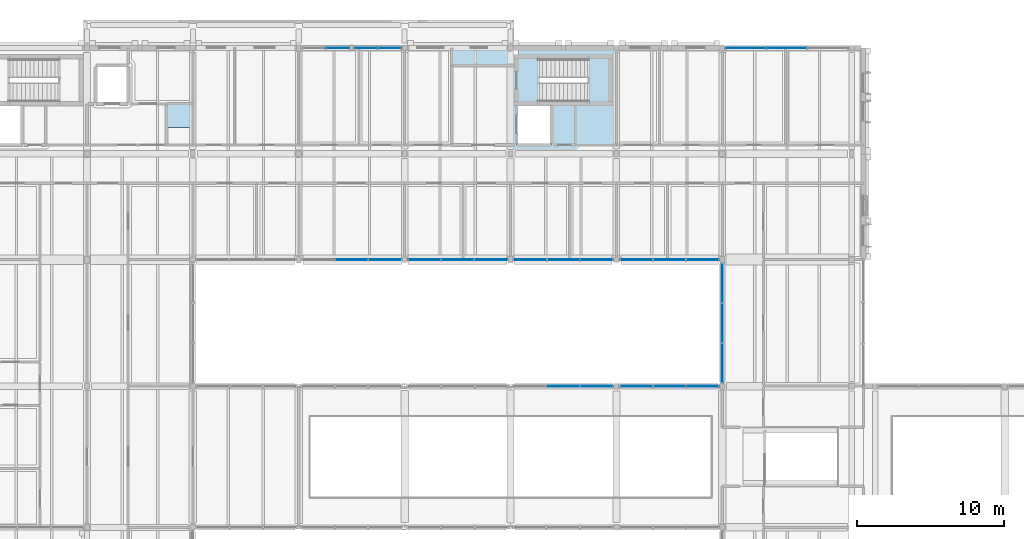
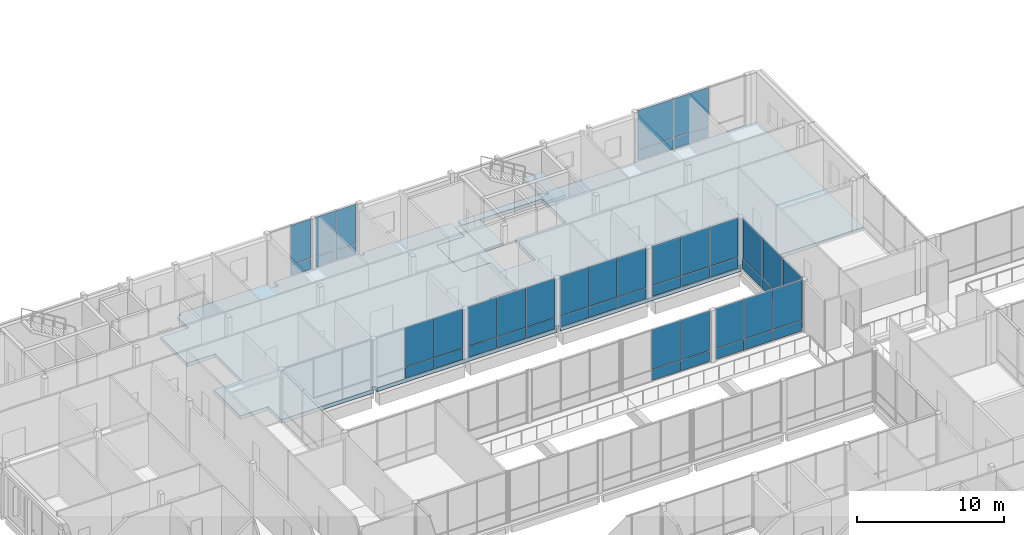
# One storey, part 98 of 146: 48 plates, 4 slabs, 11 elements without a shape of their own.
"""IFC4 building model written with IfcOpenShell, lengths in metres."""

from ifc_helpers import new_model, si_unit, direction, frame, origin, origin_2d, place, context, subcontext, project, spatial, polyline, rectangle, outline, extrude, material, layer, layer_set, type_object, element, aggregate, save


model = new_model("IFC4")

# Units and contexts
model_context = context("Model", 3, precision=1e-05, world=origin(), true_north=direction((0.0, 1.0)))
body_context = subcontext(model_context, "Body", "Model", "MODEL_VIEW")
ifc_project = project(units=[si_unit("LENGTHUNIT", "METRE"), si_unit("AREAUNIT", "SQUARE_METRE"), si_unit("VOLUMEUNIT", "CUBIC_METRE"), si_unit("PLANEANGLEUNIT", "RADIAN"), si_unit("MASSUNIT", "GRAM", prefix="KILO")], contexts=[model_context])

# Site, building, storey
site_placement = place(None, origin())
site = spatial("IfcSite", under=ifc_project, at=site_placement, CompositionType="ELEMENT")
building_placement = place(site_placement, origin())
building = spatial("IfcBuilding", under=site, at=building_placement, Name="Hawrajan Terrace Health Centre", CompositionType="ELEMENT")
storey_placement = place(building_placement, frame((0.0, 0.0, 4.5)))
storey = spatial("IfcBuildingStorey", under=building, at=storey_placement, Name="L01", CompositionType="ELEMENT", Elevation=4.5)

# Curtain wall, plates
ifc_material_1 = material(Name="Anodized bronze aluminium and low-E solar glazing", Category="aluminium")
curtain_wall_type_1 = type_object("IfcCurtainWallType", Name="CW_Bridge_SeriesJ1", PredefinedType="USERDEFINED", material=ifc_material_1)
curtain_wall_1_placement = place(storey_placement, origin())
curtain_wall_1 = element("IfcCurtainWall", 1, at=curtain_wall_1_placement, inside=storey, type_object=curtain_wall_type_1, Name="Curtain wall CW-L01-068", ObjectType="UNITISED CURTAIN WALL", PredefinedType="USERDEFINED")
ifc_material_2 = material(Name="Diffused north-light insulated glazing", Category="glass")
ifc_layer_1 = layer(ifc_material_2, 0.031982421875)
ifc_layer_set_1 = layer_set([ifc_layer_1], Name="Diffused north-light insulated glazing")
plate_type_1 = type_object("IfcPlateType", Name="ClerestoryGlassPanel_32", PredefinedType="CURTAIN_PANEL", material=ifc_layer_set_1)
plate_1_placement = place(storey_placement, frame((37.963623046875, 59.800048828125, 0.9814453125), z_axis=(0.0, 0.0, 1.0), x_axis=(1.0, 0.0, 0.0)))
plate_1 = element("IfcPlate", 2, at=plate_1_placement, type_object=plate_type_1, Name="Curtain panel CW-L01-068-P1-2", PredefinedType="CURTAIN_PANEL", context=body_context, shape_type="SweptSolid", body=[
    extrude(rectangle(XDim=1.549560546875, YDim=0.031982421875, at=origin_2d()), origin(), (0.0, 0.0, 1.0), 3.20947265625),
])
plate_2_placement = place(storey_placement, frame((39.576416015625, 59.800048828125, 0.9814453125), z_axis=(0.0, 0.0, 1.0), x_axis=(1.0, 0.0, 0.0)))
plate_2 = element("IfcPlate", 3, at=plate_2_placement, type_object=plate_type_1, Name="Curtain panel CW-L01-068-P2-2", PredefinedType="CURTAIN_PANEL", context=body_context, shape_type="SweptSolid", body=[
    extrude(rectangle(XDim=1.549560546875, YDim=0.031982421875, at=origin_2d()), origin(), (0.0, 0.0, 1.0), 3.20947265625),
])

curtain_wall_type_2 = type_object("IfcCurtainWallType", Name="CW_CourtNS_SeriesC2", PredefinedType="USERDEFINED", material=ifc_material_1)
curtain_wall_2_placement = place(storey_placement, origin())
curtain_wall_2 = element("IfcCurtainWall", 4, at=curtain_wall_2_placement, inside=storey, type_object=curtain_wall_type_2, Name="Curtain wall CW-L01-080", ObjectType="UNITISED CURTAIN WALL", PredefinedType="USERDEFINED")
plate_3_placement = place(storey_placement, frame((56.348388671875, 45.39990234375, 0.9814453125), z_axis=(0.0, 0.0, 1.0), x_axis=(1.0, 0.0, 0.0)))
plate_3 = element("IfcPlate", 5, at=plate_3_placement, type_object=plate_type_1, Name="Curtain panel CW-L01-080-P1-2", PredefinedType="CURTAIN_PANEL", context=body_context, shape_type="SweptSolid", body=[
    extrude(rectangle(XDim=2.19873046875, YDim=0.031982421875, at=origin_2d()), origin(), (0.0, 0.0, 1.0), 3.20947265625),
])
plate_4_placement = place(storey_placement, frame((58.610107421875, 45.39990234375, 0.9814453125), z_axis=(0.0, 0.0, 1.0), x_axis=(1.0, 0.0, 0.0)))
plate_4 = element("IfcPlate", 6, at=plate_4_placement, type_object=plate_type_1, Name="Curtain panel CW-L01-080-P2-2", PredefinedType="CURTAIN_PANEL", context=body_context, shape_type="SweptSolid", body=[
    extrude(rectangle(XDim=2.19873046875, YDim=0.031982421875, at=origin_2d()), origin(), (0.0, 0.0, 1.0), 3.20947265625),
])
plate_5_placement = place(storey_placement, frame((60.87158203125, 45.39990234375, 0.9814453125), z_axis=(0.0, 0.0, 1.0), x_axis=(1.0, 0.0, 0.0)))
plate_5 = element("IfcPlate", 7, at=plate_5_placement, type_object=plate_type_1, Name="Curtain panel CW-L01-080-P3-2", PredefinedType="CURTAIN_PANEL", context=body_context, shape_type="SweptSolid", body=[
    extrude(rectangle(XDim=2.19873046875, YDim=0.031982421875, at=origin_2d()), origin(), (0.0, 0.0, 1.0), 3.20947265625),
])

curtain_wall_type_3 = type_object("IfcCurtainWallType", Name="CW_Garden_SeriesF1", PredefinedType="USERDEFINED", material=ifc_material_1)
curtain_wall_3_placement = place(storey_placement, origin())
curtain_wall_3 = element("IfcCurtainWall", 8, at=curtain_wall_3_placement, inside=storey, type_object=curtain_wall_type_3, Name="Curtain wall CW-L01-086", ObjectType="UNITISED CURTAIN WALL", PredefinedType="USERDEFINED")
plate_6_placement = place(storey_placement, frame((63.794921875, 59.800048828125, 0.9814453125), z_axis=(0.0, 0.0, 1.0), x_axis=(1.0, 0.0, 0.0)))
plate_6 = element("IfcPlate", 9, at=plate_6_placement, type_object=plate_type_1, Name="Curtain panel CW-L01-086-P1-2", PredefinedType="CURTAIN_PANEL", context=body_context, shape_type="SweptSolid", body=[
    extrude(rectangle(XDim=2.73193359375, YDim=0.031982421875, at=origin_2d()), origin(), (0.0, 0.0, 1.0), 3.20947265625),
])
plate_7_placement = place(storey_placement, frame((66.590087890625, 59.800048828125, 0.9814453125), z_axis=(0.0, 0.0, 1.0), x_axis=(1.0, 0.0, 0.0)))
plate_7 = element("IfcPlate", 10, at=plate_7_placement, type_object=plate_type_1, Name="Curtain panel CW-L01-086-P2-2", PredefinedType="CURTAIN_PANEL", context=body_context, shape_type="SweptSolid", body=[
    extrude(rectangle(XDim=2.73193359375, YDim=0.031982421875, at=origin_2d()), origin(), (0.0, 0.0, 1.0), 3.20947265625),
])

# Slabs
ifc_material_3 = material(Name="Concrete C40/50", Category="concrete")
ifc_layer_2 = layer(ifc_material_3, 0.300048828125)
ifc_layer_set_2 = layer_set([ifc_layer_2], Name="Concrete C40/50")
slab_type_1 = type_object("IfcSlabType", Name="PodiumSlab_RC300", PredefinedType="FLOOR", material=ifc_layer_set_2)
slab_1_placement = place(storey_placement, frame((0.0, 0.0, -0.300048828125)))
element("IfcSlab", 11, at=slab_1_placement, inside=storey, type_object=slab_type_1, Name="Structural slab SL-L01-W-V2-Z1-1", PredefinedType="FLOOR", context=body_context, shape_type="SweptSolid", body=[
    extrude(outline(polyline([(26.47998046875, 59.52001953125), (26.47998046875, 59.800048828125), (33.39990234375, 59.800048828125), (33.39990234375, 59.25), (33.949951171875, 59.25), (33.949951171875, 59.800048828125), (40.60009765625, 59.800048828125), (40.60009765625, 59.52001953125), (40.8798828125, 59.52001953125), (40.8798828125, 59.800048828125), (47.800048828125, 59.800048828125), (47.800048828125, 59.25), (47.800048828125, 58.0), (45.60009765625, 58.0), (45.60009765625, 54.39990234375), (47.800048828125, 54.39990234375), (47.800048828125, 52.60009765625), (47.800048828125, 50.800048828125), (45.60009765625, 50.800048828125), (45.60009765625, 47.199951171875), (47.800048828125, 47.199951171875), (47.800048828125, 45.679931640625), (47.800048828125, 45.39990234375), (40.60009765625, 45.39990234375), (33.679931640625, 45.39990234375), (33.679931640625, 45.679931640625), (33.39990234375, 45.679931640625), (33.39990234375, 45.39990234375), (26.201904296875, 45.39990234375), (26.201904296875, 45.402099609375), (26.201904296875, 47.201904296875), (24.001953125, 47.201904296875), (24.001953125, 50.798095703125), (26.201904296875, 50.798095703125), (26.201904296875, 54.402099609375), (24.001953125, 54.402099609375), (24.001953125, 57.998046875), (26.201904296875, 57.998046875), (26.201904296875, 59.52001953125), (26.47998046875, 59.52001953125)])), origin(), (0.0, 0.0, 1.0), 0.300048828125),
])
slab_2_placement = place(storey_placement, frame((0.0, 0.0, -0.300048828125)))
element("IfcSlab", 12, at=slab_2_placement, inside=storey, type_object=slab_type_1, Name="Structural slab SL-L01-W-V2-Z2-1", PredefinedType="FLOOR", context=body_context, shape_type="SweptSolid", body=[
    extrude(outline(polyline([(48.35009765625, 59.25), (48.35009765625, 59.800048828125), (55.0, 59.800048828125), (55.0, 59.52001953125), (55.280029296875, 59.52001953125), (55.280029296875, 59.800048828125), (62.199951171875, 59.800048828125), (71.794921875, 59.800048828125), (71.794921875, 52.60009765625), (71.794921875, 45.402099609375), (62.47998046875, 45.402099609375), (62.47998046875, 45.679931640625), (62.199951171875, 45.679931640625), (62.199951171875, 45.402099609375), (62.197998046875, 45.402099609375), (62.197998046875, 45.39990234375), (55.0, 45.39990234375), (48.080078125, 45.39990234375), (48.080078125, 45.679931640625), (47.802001953125, 45.679931640625), (47.802001953125, 47.201904296875), (45.60205078125, 47.201904296875), (45.60205078125, 50.798095703125), (47.802001953125, 50.798095703125), (47.802001953125, 54.402099609375), (45.60205078125, 54.402099609375), (45.60205078125, 57.998046875), (47.802001953125, 57.998046875), (47.802001953125, 59.25), (48.35009765625, 59.25)]), holes=[polyline([(48.199951171875, 56.0), (48.199951171875, 53.199951171875), (50.60009765625, 53.199951171875), (50.60009765625, 56.0), (54.60009765625, 56.0), (54.60009765625, 59.199951171875), (48.199951171875, 59.199951171875), (48.199951171875, 56.0)])]), origin(), (0.0, 0.0, 1.0), 0.300048828125),
])

# Curtain wall, plates
curtain_wall_type_4 = type_object("IfcCurtainWallType", Name="CW_Clerestory_SeriesG3", PredefinedType="USERDEFINED", material=ifc_material_1)
curtain_wall_4_placement = place(storey_placement, origin())
curtain_wall_4 = element("IfcCurtainWall", 13, at=curtain_wall_4_placement, inside=storey, type_object=curtain_wall_type_4, Name="Curtain wall CW-L01-066", ObjectType="UNITISED CURTAIN WALL", PredefinedType="USERDEFINED")
ifc_material_4 = material(Name="Insulated anodized bronze spandrel panel")
ifc_layer_3 = layer(ifc_material_4, 0.048095703125)
ifc_layer_set_3 = layer_set([ifc_layer_3], Name="Insulated anodized bronze spandrel panel")
plate_type_2 = type_object("IfcPlateType", Name="SpandrelPanel_Bronze48", PredefinedType="CURTAIN_PANEL", material=ifc_layer_set_3)
plate_8_placement = place(storey_placement, frame((36.989990234375, 45.39990234375, 0.05908203125), z_axis=(0.0, 0.0, 1.0), x_axis=(1.0, 0.0, 0.0)))
plate_8 = element("IfcPlate", 14, at=plate_8_placement, type_object=plate_type_2, Name="Curtain panel CW-L01-066-P2-1", PredefinedType="CURTAIN_PANEL", context=body_context, shape_type="SweptSolid", body=[
    extrude(rectangle(XDim=2.2119140625, YDim=0.048095703125, at=origin_2d()), origin(), (0.0, 0.0, 1.0), 0.864501953125),
])
plate_9_placement = place(storey_placement, frame((39.2548828125, 45.39990234375, 0.05908203125), z_axis=(0.0, 0.0, 1.0), x_axis=(1.0, 0.0, 0.0)))
plate_9 = element("IfcPlate", 15, at=plate_9_placement, type_object=plate_type_2, Name="Curtain panel CW-L01-066-P3-1", PredefinedType="CURTAIN_PANEL", context=body_context, shape_type="SweptSolid", body=[
    extrude(rectangle(XDim=2.2119140625, YDim=0.048095703125, at=origin_2d()), origin(), (0.0, 0.0, 1.0), 0.864501953125),
])

# Plate
plate_10_placement = place(storey_placement, frame((37.963623046875, 59.800048828125, 0.069091796875), z_axis=(0.0, 0.0, 1.0), x_axis=(1.0, 0.0, 0.0)))
plate_10 = element("IfcPlate", 16, at=plate_10_placement, type_object=plate_type_2, Name="Curtain panel CW-L01-068-P1-1", PredefinedType="CURTAIN_PANEL", context=body_context, shape_type="SweptSolid", body=[
    extrude(rectangle(XDim=1.549560546875, YDim=0.048095703125, at=origin_2d()), origin(), (0.0, 0.0, 1.0), 0.849609375),
])

plate_11_placement = place(storey_placement, frame((39.576416015625, 59.800048828125, 0.069091796875), z_axis=(0.0, 0.0, 1.0), x_axis=(1.0, 0.0, 0.0)))
plate_11 = element("IfcPlate", 17, at=plate_11_placement, type_object=plate_type_2, Name="Curtain panel CW-L01-068-P2-1", PredefinedType="CURTAIN_PANEL", context=body_context, shape_type="SweptSolid", body=[
    extrude(rectangle(XDim=1.549560546875, YDim=0.048095703125, at=origin_2d()), origin(), (0.0, 0.0, 1.0), 0.849609375),
])

aggregate(curtain_wall_1, [plate_10, plate_1, plate_11, plate_2])

# Curtain wall, plates
curtain_wall_type_5 = type_object("IfcCurtainWallType", Name="CW_Diagnostic_SeriesM2", PredefinedType="USERDEFINED", material=ifc_material_1)
curtain_wall_5_placement = place(storey_placement, origin())
curtain_wall_5 = element("IfcCurtainWall", 18, at=curtain_wall_5_placement, inside=storey, type_object=curtain_wall_type_5, Name="Curtain wall CW-L01-072", ObjectType="UNITISED CURTAIN WALL", PredefinedType="USERDEFINED")
plate_12_placement = place(storey_placement, frame((41.945068359375, 45.39990234375, 0.05908203125), z_axis=(0.0, 0.0, 1.0), x_axis=(1.0, 0.0, 0.0)))
plate_12 = element("IfcPlate", 19, at=plate_12_placement, type_object=plate_type_2, Name="Curtain panel CW-L01-072-P1-1", PredefinedType="CURTAIN_PANEL", context=body_context, shape_type="SweptSolid", body=[
    extrude(rectangle(XDim=2.2119140625, YDim=0.048095703125, at=origin_2d()), origin(), (0.0, 0.0, 1.0), 0.864501953125),
])
plate_13_placement = place(storey_placement, frame((44.2099609375, 45.39990234375, 0.05908203125), z_axis=(0.0, 0.0, 1.0), x_axis=(1.0, 0.0, 0.0)))
plate_13 = element("IfcPlate", 20, at=plate_13_placement, type_object=plate_type_2, Name="Curtain panel CW-L01-072-P2-1", PredefinedType="CURTAIN_PANEL", context=body_context, shape_type="SweptSolid", body=[
    extrude(rectangle(XDim=2.2119140625, YDim=0.048095703125, at=origin_2d()), origin(), (0.0, 0.0, 1.0), 0.864501953125),
])
plate_14_placement = place(storey_placement, frame((46.47509765625, 45.39990234375, 0.05908203125), z_axis=(0.0, 0.0, 1.0), x_axis=(1.0, 0.0, 0.0)))
plate_14 = element("IfcPlate", 21, at=plate_14_placement, type_object=plate_type_2, Name="Curtain panel CW-L01-072-P3-1", PredefinedType="CURTAIN_PANEL", context=body_context, shape_type="SweptSolid", body=[
    extrude(rectangle(XDim=2.2119140625, YDim=0.048095703125, at=origin_2d()), origin(), (0.0, 0.0, 1.0), 0.864501953125),
])

curtain_wall_type_6 = type_object("IfcCurtainWallType", Name="CW_Court_SeriesB1", PredefinedType="USERDEFINED", material=ifc_material_1)
curtain_wall_6_placement = place(storey_placement, origin())
curtain_wall_6 = element("IfcCurtainWall", 22, at=curtain_wall_6_placement, inside=storey, type_object=curtain_wall_type_6, Name="Curtain wall CW-L01-076", ObjectType="UNITISED CURTAIN WALL", PredefinedType="USERDEFINED")
plate_15_placement = place(storey_placement, frame((49.125, 45.39990234375, 0.05908203125), z_axis=(0.0, 0.0, 1.0), x_axis=(1.0, 0.0, 0.0)))
plate_15 = element("IfcPlate", 23, at=plate_15_placement, type_object=plate_type_2, Name="Curtain panel CW-L01-076-P1-1", PredefinedType="CURTAIN_PANEL", context=body_context, shape_type="SweptSolid", body=[
    extrude(rectangle(XDim=2.2119140625, YDim=0.048095703125, at=origin_2d()), origin(), (0.0, 0.0, 1.0), 0.864501953125),
])
plate_16_placement = place(storey_placement, frame((51.389892578125, 45.39990234375, 0.05908203125), z_axis=(0.0, 0.0, 1.0), x_axis=(1.0, 0.0, 0.0)))
plate_16 = element("IfcPlate", 24, at=plate_16_placement, type_object=plate_type_2, Name="Curtain panel CW-L01-076-P2-1", PredefinedType="CURTAIN_PANEL", context=body_context, shape_type="SweptSolid", body=[
    extrude(rectangle(XDim=2.2119140625, YDim=0.048095703125, at=origin_2d()), origin(), (0.0, 0.0, 1.0), 0.864501953125),
])
plate_17_placement = place(storey_placement, frame((53.655029296875, 45.39990234375, 0.05908203125), z_axis=(0.0, 0.0, 1.0), x_axis=(1.0, 0.0, 0.0)))
plate_17 = element("IfcPlate", 25, at=plate_17_placement, type_object=plate_type_2, Name="Curtain panel CW-L01-076-P3-1", PredefinedType="CURTAIN_PANEL", context=body_context, shape_type="SweptSolid", body=[
    extrude(rectangle(XDim=2.2119140625, YDim=0.048095703125, at=origin_2d()), origin(), (0.0, 0.0, 1.0), 0.864501953125),
])

# Plate
plate_18_placement = place(storey_placement, frame((56.348388671875, 45.39990234375, 0.069091796875), z_axis=(0.0, 0.0, 1.0), x_axis=(1.0, 0.0, 0.0)))
plate_18 = element("IfcPlate", 26, at=plate_18_placement, type_object=plate_type_2, Name="Curtain panel CW-L01-080-P1-1", PredefinedType="CURTAIN_PANEL", context=body_context, shape_type="SweptSolid", body=[
    extrude(rectangle(XDim=2.19873046875, YDim=0.048095703125, at=origin_2d()), origin(), (0.0, 0.0, 1.0), 0.849609375),
])

plate_19_placement = place(storey_placement, frame((58.610107421875, 45.39990234375, 0.069091796875), z_axis=(0.0, 0.0, 1.0), x_axis=(1.0, 0.0, 0.0)))
plate_19 = element("IfcPlate", 27, at=plate_19_placement, type_object=plate_type_2, Name="Curtain panel CW-L01-080-P2-1", PredefinedType="CURTAIN_PANEL", context=body_context, shape_type="SweptSolid", body=[
    extrude(rectangle(XDim=2.19873046875, YDim=0.048095703125, at=origin_2d()), origin(), (0.0, 0.0, 1.0), 0.849609375),
])

plate_20_placement = place(storey_placement, frame((60.87158203125, 45.39990234375, 0.069091796875), z_axis=(0.0, 0.0, 1.0), x_axis=(1.0, 0.0, 0.0)))
plate_20 = element("IfcPlate", 28, at=plate_20_placement, type_object=plate_type_2, Name="Curtain panel CW-L01-080-P3-1", PredefinedType="CURTAIN_PANEL", context=body_context, shape_type="SweptSolid", body=[
    extrude(rectangle(XDim=2.19873046875, YDim=0.048095703125, at=origin_2d()), origin(), (0.0, 0.0, 1.0), 0.849609375),
])

aggregate(curtain_wall_2, [plate_18, plate_3, plate_19, plate_4, plate_20, plate_5])

# Curtain wall, plates
curtain_wall_type_7 = type_object("IfcCurtainWallType", Name="CW_Pavilion_SeriesE1", PredefinedType="USERDEFINED", material=ifc_material_1)
curtain_wall_7_placement = place(storey_placement, origin())
curtain_wall_7 = element("IfcCurtainWall", 29, at=curtain_wall_7_placement, inside=storey, type_object=curtain_wall_type_7, Name="Curtain wall CW-L01-084", ObjectType="UNITISED CURTAIN WALL", PredefinedType="USERDEFINED")
plate_21_placement = place(storey_placement, frame((62.199951171875, 38.3701171875, 0.05908203125), z_axis=(0.0, 0.0, 1.0), x_axis=(0.0, 1.0, 0.0)))
plate_21 = element("IfcPlate", 30, at=plate_21_placement, type_object=plate_type_2, Name="Curtain panel CW-L01-084-P1-1", PredefinedType="CURTAIN_PANEL", context=body_context, shape_type="SweptSolid", body=[
    extrude(rectangle(XDim=2.662109375, YDim=0.048095703125, at=origin_2d()), origin(), (0.0, 0.0, 1.0), 0.864501953125),
])
plate_22_placement = place(storey_placement, frame((62.199951171875, 41.0849609375, 0.05908203125), z_axis=(0.0, 0.0, 1.0), x_axis=(0.0, 1.0, 0.0)))
plate_22 = element("IfcPlate", 31, at=plate_22_placement, type_object=plate_type_2, Name="Curtain panel CW-L01-084-P2-1", PredefinedType="CURTAIN_PANEL", context=body_context, shape_type="SweptSolid", body=[
    extrude(rectangle(XDim=2.662109375, YDim=0.048095703125, at=origin_2d()), origin(), (0.0, 0.0, 1.0), 0.864501953125),
])
plate_23_placement = place(storey_placement, frame((62.199951171875, 43.800048828125, 0.05908203125), z_axis=(0.0, 0.0, 1.0), x_axis=(0.0, 1.0, 0.0)))
plate_23 = element("IfcPlate", 32, at=plate_23_placement, type_object=plate_type_2, Name="Curtain panel CW-L01-084-P3-1", PredefinedType="CURTAIN_PANEL", context=body_context, shape_type="SweptSolid", body=[
    extrude(rectangle(XDim=2.662109375, YDim=0.048095703125, at=origin_2d()), origin(), (0.0, 0.0, 1.0), 0.864501953125),
])

# Plate
plate_24_placement = place(storey_placement, frame((63.794921875, 59.800048828125, 0.069091796875), z_axis=(0.0, 0.0, 1.0), x_axis=(1.0, 0.0, 0.0)))
plate_24 = element("IfcPlate", 33, at=plate_24_placement, type_object=plate_type_2, Name="Curtain panel CW-L01-086-P1-1", PredefinedType="CURTAIN_PANEL", context=body_context, shape_type="SweptSolid", body=[
    extrude(rectangle(XDim=2.73193359375, YDim=0.048095703125, at=origin_2d()), origin(), (0.0, 0.0, 1.0), 0.849609375),
])

plate_25_placement = place(storey_placement, frame((66.590087890625, 59.800048828125, 0.069091796875), z_axis=(0.0, 0.0, 1.0), x_axis=(1.0, 0.0, 0.0)))
plate_25 = element("IfcPlate", 34, at=plate_25_placement, type_object=plate_type_2, Name="Curtain panel CW-L01-086-P2-1", PredefinedType="CURTAIN_PANEL", context=body_context, shape_type="SweptSolid", body=[
    extrude(rectangle(XDim=2.73193359375, YDim=0.048095703125, at=origin_2d()), origin(), (0.0, 0.0, 1.0), 0.849609375),
])

aggregate(curtain_wall_3, [plate_24, plate_6, plate_25, plate_7])

# Curtain wall, plate
curtain_wall_type_8 = type_object("IfcCurtainWallType", Name="CW_Vestibule_SeriesH1", PredefinedType="USERDEFINED", material=ifc_material_1)
curtain_wall_8_placement = place(storey_placement, origin())
curtain_wall_8 = element("IfcCurtainWall", 35, at=curtain_wall_8_placement, inside=storey, type_object=curtain_wall_type_8, Name="Curtain wall CW-L01-067", ObjectType="UNITISED CURTAIN WALL", PredefinedType="USERDEFINED")
ifc_material_5 = material(Name="Insulated reconstituted coral-stone spandrel", Category="masonry")
ifc_layer_4 = layer(ifc_material_5, 0.055908203125)
ifc_layer_set_4 = layer_set([ifc_layer_4], Name="Insulated reconstituted coral-stone spandrel")
plate_type_3 = type_object("IfcPlateType", Name="SpandrelPanel_Coral56", PredefinedType="CURTAIN_PANEL", material=ifc_layer_set_4)
plate_26_placement = place(storey_placement, frame((36.03369140625, 59.800048828125, 0.05908203125), z_axis=(0.0, 0.0, 1.0), x_axis=(1.0, 0.0, 0.0)))
plate_26 = element("IfcPlate", 36, at=plate_26_placement, type_object=plate_type_3, Name="Curtain panel CW-L01-067-P2-1", PredefinedType="CURTAIN_PANEL", context=body_context, shape_type="SweptSolid", body=[
    extrude(rectangle(XDim=1.574462890625, YDim=0.055908203125, at=origin_2d()), origin(), (0.0, 0.0, 1.0), 0.864501953125),
])

# Curtain wall, plates
curtain_wall_type_9 = type_object("IfcCurtainWallType", Name="CW_Court_SeriesA3", PredefinedType="USERDEFINED", material=ifc_material_1)
curtain_wall_9_placement = place(storey_placement, origin())
curtain_wall_9 = element("IfcCurtainWall", 37, at=curtain_wall_9_placement, inside=storey, type_object=curtain_wall_type_9, Name="Curtain wall CW-L01-075", ObjectType="UNITISED CURTAIN WALL", PredefinedType="USERDEFINED")
plate_27_placement = place(storey_placement, frame((51.36474609375, 36.800048828125, 0.05908203125), z_axis=(0.0, 0.0, 1.0), x_axis=(1.0, 0.0, 0.0)))
plate_27 = element("IfcPlate", 38, at=plate_27_placement, type_object=plate_type_3, Name="Curtain panel CW-L01-075-P2-1", PredefinedType="CURTAIN_PANEL", context=body_context, shape_type="SweptSolid", body=[
    extrude(rectangle(XDim=2.228759765625, YDim=0.055908203125, at=origin_2d()), origin(), (0.0, 0.0, 1.0), 0.864501953125),
])
plate_28_placement = place(storey_placement, frame((53.646484375, 36.800048828125, 0.05908203125), z_axis=(0.0, 0.0, 1.0), x_axis=(1.0, 0.0, 0.0)))
plate_28 = element("IfcPlate", 39, at=plate_28_placement, type_object=plate_type_3, Name="Curtain panel CW-L01-075-P3-1", PredefinedType="CURTAIN_PANEL", context=body_context, shape_type="SweptSolid", body=[
    extrude(rectangle(XDim=2.228759765625, YDim=0.055908203125, at=origin_2d()), origin(), (0.0, 0.0, 1.0), 0.864501953125),
])

curtain_wall_type_10 = type_object("IfcCurtainWallType", Name="CW_CourtNS_SeriesC1", PredefinedType="USERDEFINED", material=ifc_material_1)
curtain_wall_10_placement = place(storey_placement, origin())
curtain_wall_10 = element("IfcCurtainWall", 40, at=curtain_wall_10_placement, inside=storey, type_object=curtain_wall_type_10, Name="Curtain wall CW-L01-079", ObjectType="UNITISED CURTAIN WALL", PredefinedType="USERDEFINED")
plate_29_placement = place(storey_placement, frame((56.341796875, 36.800048828125, 0.05908203125), z_axis=(0.0, 0.0, 1.0), x_axis=(1.0, 0.0, 0.0)))
plate_29 = element("IfcPlate", 41, at=plate_29_placement, type_object=plate_type_3, Name="Curtain panel CW-L01-079-P1-1", PredefinedType="CURTAIN_PANEL", context=body_context, shape_type="SweptSolid", body=[
    extrude(rectangle(XDim=2.205322265625, YDim=0.055908203125, at=origin_2d()), origin(), (0.0, 0.0, 1.0), 0.864501953125),
])
plate_30_placement = place(storey_placement, frame((58.60009765625, 36.800048828125, 0.05908203125), z_axis=(0.0, 0.0, 1.0), x_axis=(1.0, 0.0, 0.0)))
plate_30 = element("IfcPlate", 42, at=plate_30_placement, type_object=plate_type_3, Name="Curtain panel CW-L01-079-P2-1", PredefinedType="CURTAIN_PANEL", context=body_context, shape_type="SweptSolid", body=[
    extrude(rectangle(XDim=2.205322265625, YDim=0.055908203125, at=origin_2d()), origin(), (0.0, 0.0, 1.0), 0.864501953125),
])
plate_31_placement = place(storey_placement, frame((60.8583984375, 36.800048828125, 0.05908203125), z_axis=(0.0, 0.0, 1.0), x_axis=(1.0, 0.0, 0.0)))
plate_31 = element("IfcPlate", 43, at=plate_31_placement, type_object=plate_type_3, Name="Curtain panel CW-L01-079-P3-1", PredefinedType="CURTAIN_PANEL", context=body_context, shape_type="SweptSolid", body=[
    extrude(rectangle(XDim=2.205322265625, YDim=0.055908203125, at=origin_2d()), origin(), (0.0, 0.0, 1.0), 0.864501953125),
])

# Stair, slabs
stair_type = type_object("IfcStairType", Name="Stair_4500_W1300", PredefinedType="HALF_TURN_STAIR", material=ifc_material_3)
stair_placement = place(storey_placement, origin())
stair = element("IfcStair", 44, at=stair_placement, inside=storey, type_object=stair_type, Name="Stair ST-2-L01", PredefinedType="HALF_TURN_STAIR")
ifc_layer_5 = layer(ifc_material_3, 0.219970703125)
ifc_layer_set_5 = layer_set([ifc_layer_5], Name="Concrete C40/50")
slab_type_2 = type_object("IfcSlabType", Name="StairLanding_RC220", PredefinedType="LANDING", material=ifc_layer_set_5)
slab_3_placement = place(storey_placement, frame((0.0, 0.0, -0.219970703125)))
slab_3 = element("IfcSlab", 45, at=slab_3_placement, type_object=slab_type_2, Name="Stair floor landing ST-2-L01-L0", PredefinedType="LANDING", context=body_context, shape_type="SweptSolid", body=[
    extrude(outline(polyline([(48.199951171875, 56.0), (49.699951171875, 56.0), (49.699951171875, 59.199951171875), (48.199951171875, 59.199951171875), (48.199951171875, 56.0)])), origin(), (0.0, 0.0, 1.0), 0.219970703125),
])
slab_4_placement = place(storey_placement, frame((0.0, 0.0, 2.030029296875)))
slab_4 = element("IfcSlab", 46, at=slab_4_placement, type_object=slab_type_2, Name="Stair half landing ST-2-L01-L1", PredefinedType="LANDING", context=body_context, shape_type="SweptSolid", body=[
    extrude(outline(polyline([(53.10009765625, 56.0), (54.60009765625, 56.0), (54.60009765625, 59.199951171875), (53.10009765625, 59.199951171875), (53.10009765625, 56.0)])), origin(), (0.0, 0.0, 1.0), 0.219970703125),
])
aggregate(stair, [slab_3, slab_4])

# Plate
ifc_material_6 = material(Name="Double-glazed solar control low-E glass", Category="glass")
ifc_layer_6 = layer(ifc_material_6, 0.028076171875)
ifc_layer_set_6 = layer_set([ifc_layer_6], Name="Double-glazed solar control low-E glass")
plate_type_4 = type_object("IfcPlateType", Name="VisionGlassPanel_28", PredefinedType="CURTAIN_PANEL", material=ifc_layer_set_6)
plate_32_placement = place(storey_placement, frame((36.989990234375, 45.39990234375, 0.976318359375), z_axis=(0.0, 0.0, 1.0), x_axis=(1.0, 0.0, 0.0)))
plate_32 = element("IfcPlate", 47, at=plate_32_placement, type_object=plate_type_4, Name="Curtain panel CW-L01-066-P2-2", PredefinedType="CURTAIN_PANEL", context=body_context, shape_type="SweptSolid", body=[
    extrude(rectangle(XDim=2.2119140625, YDim=0.028076171875, at=origin_2d()), origin(), (0.0, 0.0, 1.0), 3.224609375),
])

plate_33_placement = place(storey_placement, frame((39.2548828125, 45.39990234375, 0.976318359375), z_axis=(0.0, 0.0, 1.0), x_axis=(1.0, 0.0, 0.0)))
plate_33 = element("IfcPlate", 48, at=plate_33_placement, type_object=plate_type_4, Name="Curtain panel CW-L01-066-P3-2", PredefinedType="CURTAIN_PANEL", context=body_context, shape_type="SweptSolid", body=[
    extrude(rectangle(XDim=2.2119140625, YDim=0.028076171875, at=origin_2d()), origin(), (0.0, 0.0, 1.0), 3.224609375),
])

aggregate(curtain_wall_4, [plate_8, plate_32, plate_9, plate_33])

plate_34_placement = place(storey_placement, frame((41.945068359375, 45.39990234375, 0.976318359375), z_axis=(0.0, 0.0, 1.0), x_axis=(1.0, 0.0, 0.0)))
plate_34 = element("IfcPlate", 49, at=plate_34_placement, type_object=plate_type_4, Name="Curtain panel CW-L01-072-P1-2", PredefinedType="CURTAIN_PANEL", context=body_context, shape_type="SweptSolid", body=[
    extrude(rectangle(XDim=2.2119140625, YDim=0.028076171875, at=origin_2d()), origin(), (0.0, 0.0, 1.0), 3.224609375),
])

plate_35_placement = place(storey_placement, frame((44.2099609375, 45.39990234375, 0.976318359375), z_axis=(0.0, 0.0, 1.0), x_axis=(1.0, 0.0, 0.0)))
plate_35 = element("IfcPlate", 50, at=plate_35_placement, type_object=plate_type_4, Name="Curtain panel CW-L01-072-P2-2", PredefinedType="CURTAIN_PANEL", context=body_context, shape_type="SweptSolid", body=[
    extrude(rectangle(XDim=2.2119140625, YDim=0.028076171875, at=origin_2d()), origin(), (0.0, 0.0, 1.0), 3.224609375),
])

plate_36_placement = place(storey_placement, frame((46.47509765625, 45.39990234375, 0.976318359375), z_axis=(0.0, 0.0, 1.0), x_axis=(1.0, 0.0, 0.0)))
plate_36 = element("IfcPlate", 51, at=plate_36_placement, type_object=plate_type_4, Name="Curtain panel CW-L01-072-P3-2", PredefinedType="CURTAIN_PANEL", context=body_context, shape_type="SweptSolid", body=[
    extrude(rectangle(XDim=2.2119140625, YDim=0.028076171875, at=origin_2d()), origin(), (0.0, 0.0, 1.0), 3.224609375),
])

aggregate(curtain_wall_5, [plate_12, plate_34, plate_13, plate_35, plate_14, plate_36])

plate_37_placement = place(storey_placement, frame((51.36474609375, 36.800048828125, 0.9765625), z_axis=(0.0, 0.0, 1.0), x_axis=(1.0, 0.0, 0.0)))
plate_37 = element("IfcPlate", 52, at=plate_37_placement, type_object=plate_type_4, Name="Curtain panel CW-L01-075-P2-2", PredefinedType="CURTAIN_PANEL", context=body_context, shape_type="SweptSolid", body=[
    extrude(rectangle(XDim=2.228759765625, YDim=0.028076171875, at=origin_2d()), origin(), (0.0, 0.0, 1.0), 3.264404296875),
])

plate_38_placement = place(storey_placement, frame((53.646484375, 36.800048828125, 0.9765625), z_axis=(0.0, 0.0, 1.0), x_axis=(1.0, 0.0, 0.0)))
plate_38 = element("IfcPlate", 53, at=plate_38_placement, type_object=plate_type_4, Name="Curtain panel CW-L01-075-P3-2", PredefinedType="CURTAIN_PANEL", context=body_context, shape_type="SweptSolid", body=[
    extrude(rectangle(XDim=2.228759765625, YDim=0.028076171875, at=origin_2d()), origin(), (0.0, 0.0, 1.0), 3.264404296875),
])

aggregate(curtain_wall_9, [plate_27, plate_37, plate_28, plate_38])

plate_39_placement = place(storey_placement, frame((62.199951171875, 38.3701171875, 0.9765625), z_axis=(0.0, 0.0, 1.0), x_axis=(0.0, 1.0, 0.0)))
plate_39 = element("IfcPlate", 54, at=plate_39_placement, type_object=plate_type_4, Name="Curtain panel CW-L01-084-P1-2", PredefinedType="CURTAIN_PANEL", context=body_context, shape_type="SweptSolid", body=[
    extrude(rectangle(XDim=2.662109375, YDim=0.028076171875, at=origin_2d()), origin(), (0.0, 0.0, 1.0), 3.264404296875),
])

plate_40_placement = place(storey_placement, frame((62.199951171875, 41.0849609375, 0.9765625), z_axis=(0.0, 0.0, 1.0), x_axis=(0.0, 1.0, 0.0)))
plate_40 = element("IfcPlate", 55, at=plate_40_placement, type_object=plate_type_4, Name="Curtain panel CW-L01-084-P2-2", PredefinedType="CURTAIN_PANEL", context=body_context, shape_type="SweptSolid", body=[
    extrude(rectangle(XDim=2.662109375, YDim=0.028076171875, at=origin_2d()), origin(), (0.0, 0.0, 1.0), 3.264404296875),
])

plate_41_placement = place(storey_placement, frame((62.199951171875, 43.800048828125, 0.9765625), z_axis=(0.0, 0.0, 1.0), x_axis=(0.0, 1.0, 0.0)))
plate_41 = element("IfcPlate", 56, at=plate_41_placement, type_object=plate_type_4, Name="Curtain panel CW-L01-084-P3-2", PredefinedType="CURTAIN_PANEL", context=body_context, shape_type="SweptSolid", body=[
    extrude(rectangle(XDim=2.662109375, YDim=0.028076171875, at=origin_2d()), origin(), (0.0, 0.0, 1.0), 3.264404296875),
])

aggregate(curtain_wall_7, [plate_21, plate_39, plate_22, plate_40, plate_23, plate_41])

ifc_material_7 = material(Name="Triple-glazed solar acoustic low-E glass", Category="glass")
ifc_layer_7 = layer(ifc_material_7, 0.035888671875)
ifc_layer_set_7 = layer_set([ifc_layer_7], Name="Triple-glazed solar acoustic low-E glass")
plate_type_5 = type_object("IfcPlateType", Name="VisionGlassPanel_36", PredefinedType="CURTAIN_PANEL", material=ifc_layer_set_7)
plate_42_placement = place(storey_placement, frame((36.03369140625, 59.800048828125, 0.976318359375), z_axis=(0.0, 0.0, 1.0), x_axis=(1.0, 0.0, 0.0)))
plate_42 = element("IfcPlate", 57, at=plate_42_placement, type_object=plate_type_5, Name="Curtain panel CW-L01-067-P2-2", PredefinedType="CURTAIN_PANEL", context=body_context, shape_type="SweptSolid", body=[
    extrude(rectangle(XDim=1.574462890625, YDim=0.035888671875, at=origin_2d()), origin(), (0.0, 0.0, 1.0), 3.224609375),
])

aggregate(curtain_wall_8, [plate_26, plate_42])

plate_43_placement = place(storey_placement, frame((49.125, 45.39990234375, 0.976318359375), z_axis=(0.0, 0.0, 1.0), x_axis=(1.0, 0.0, 0.0)))
plate_43 = element("IfcPlate", 58, at=plate_43_placement, type_object=plate_type_5, Name="Curtain panel CW-L01-076-P1-2", PredefinedType="CURTAIN_PANEL", context=body_context, shape_type="SweptSolid", body=[
    extrude(rectangle(XDim=2.2119140625, YDim=0.035888671875, at=origin_2d()), origin(), (0.0, 0.0, 1.0), 3.224609375),
])

plate_44_placement = place(storey_placement, frame((51.389892578125, 45.39990234375, 0.976318359375), z_axis=(0.0, 0.0, 1.0), x_axis=(1.0, 0.0, 0.0)))
plate_44 = element("IfcPlate", 59, at=plate_44_placement, type_object=plate_type_5, Name="Curtain panel CW-L01-076-P2-2", PredefinedType="CURTAIN_PANEL", context=body_context, shape_type="SweptSolid", body=[
    extrude(rectangle(XDim=2.2119140625, YDim=0.035888671875, at=origin_2d()), origin(), (0.0, 0.0, 1.0), 3.224609375),
])

plate_45_placement = place(storey_placement, frame((53.655029296875, 45.39990234375, 0.976318359375), z_axis=(0.0, 0.0, 1.0), x_axis=(1.0, 0.0, 0.0)))
plate_45 = element("IfcPlate", 60, at=plate_45_placement, type_object=plate_type_5, Name="Curtain panel CW-L01-076-P3-2", PredefinedType="CURTAIN_PANEL", context=body_context, shape_type="SweptSolid", body=[
    extrude(rectangle(XDim=2.2119140625, YDim=0.035888671875, at=origin_2d()), origin(), (0.0, 0.0, 1.0), 3.224609375),
])

aggregate(curtain_wall_6, [plate_15, plate_43, plate_16, plate_44, plate_17, plate_45])

plate_46_placement = place(storey_placement, frame((56.341796875, 36.800048828125, 0.9765625), z_axis=(0.0, 0.0, 1.0), x_axis=(1.0, 0.0, 0.0)))
plate_46 = element("IfcPlate", 61, at=plate_46_placement, type_object=plate_type_5, Name="Curtain panel CW-L01-079-P1-2", PredefinedType="CURTAIN_PANEL", context=body_context, shape_type="SweptSolid", body=[
    extrude(rectangle(XDim=2.205322265625, YDim=0.035888671875, at=origin_2d()), origin(), (0.0, 0.0, 1.0), 3.264404296875),
])

plate_47_placement = place(storey_placement, frame((58.60009765625, 36.800048828125, 0.9765625), z_axis=(0.0, 0.0, 1.0), x_axis=(1.0, 0.0, 0.0)))
plate_47 = element("IfcPlate", 62, at=plate_47_placement, type_object=plate_type_5, Name="Curtain panel CW-L01-079-P2-2", PredefinedType="CURTAIN_PANEL", context=body_context, shape_type="SweptSolid", body=[
    extrude(rectangle(XDim=2.205322265625, YDim=0.035888671875, at=origin_2d()), origin(), (0.0, 0.0, 1.0), 3.264404296875),
])

plate_48_placement = place(storey_placement, frame((60.8583984375, 36.800048828125, 0.9765625), z_axis=(0.0, 0.0, 1.0), x_axis=(1.0, 0.0, 0.0)))
plate_48 = element("IfcPlate", 63, at=plate_48_placement, type_object=plate_type_5, Name="Curtain panel CW-L01-079-P3-2", PredefinedType="CURTAIN_PANEL", context=body_context, shape_type="SweptSolid", body=[
    extrude(rectangle(XDim=2.205322265625, YDim=0.035888671875, at=origin_2d()), origin(), (0.0, 0.0, 1.0), 3.264404296875),
])

aggregate(curtain_wall_10, [plate_29, plate_46, plate_30, plate_47, plate_31, plate_48])

save(model, "model.ifc")
